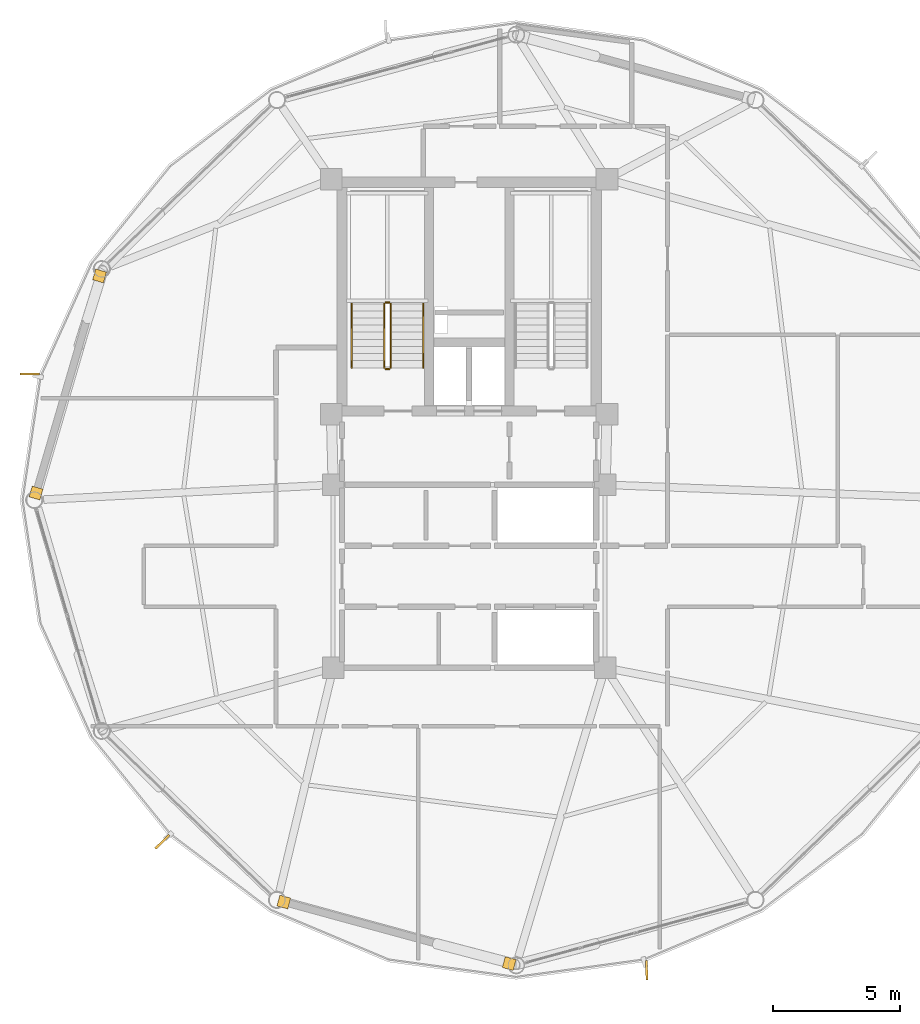
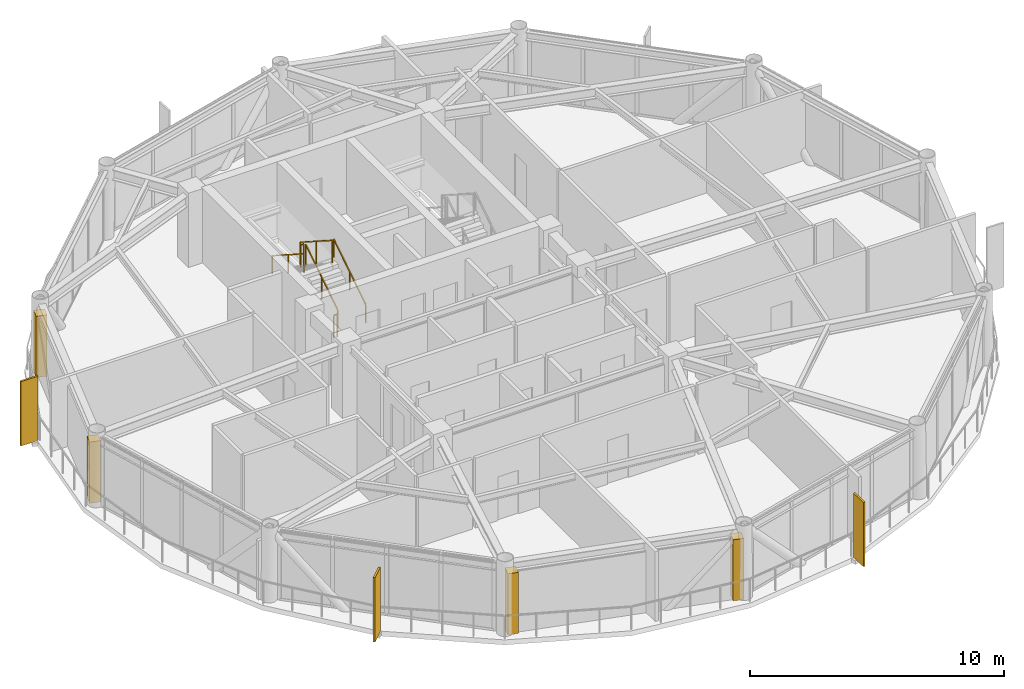
# One storey, part 24 of 26: 6 railings, 4 coverings, 3 shading devices.
"""IFC4 building model written with IfcOpenShell, lengths in metres."""

import ifcopenshell
import ifcopenshell.guid

model = None  # the IFC model being written
_history = None  # IfcOwnerHistory: only IFC2X3 demands one
_inside = {}  # id of a spatial element -> (the spatial element, [elements in it])
_under = {}  # id of a project, library or spatial element -> (it, [spatial elements below it])
_declared = {}  # id of a project -> (the project, [libraries it declares])
_typed = {}  # id of a type object -> (the type object, [elements of that type])
_made_of = {}  # id of a material, layer set ... -> (it, [elements and type objects made of it])


def new_model(schema):
    """Start an empty IFC model of exactly this schema.

    Asked for "IFC4X3", IfcOpenShell would pick the latest addendum, in which some entities
    have other attributes; the version numbers below select the first issue.
    IFC2X3 requires an IfcOwnerHistory on every rooted entity: one is made here for all.
    """
    global model, _history
    if schema == "IFC4X3":
        model = ifcopenshell.file(schema_version=(4, 3, 0, 0))
    else:
        model = ifcopenshell.file(schema=schema)
    _inside.clear()
    _under.clear()
    _declared.clear()
    _typed.clear()
    _made_of.clear()
    _history = None
    if model.schema == "IFC2X3":
        org = make("IfcOrganization", Name="unknown")
        user = make(
            "IfcPersonAndOrganization",
            ThePerson=make("IfcPerson", FamilyName="unknown"),
            TheOrganization=org,
        )
        app = make(
            "IfcApplication",
            ApplicationDeveloper=org,
            Version="unknown",
            ApplicationFullName="unknown",
            ApplicationIdentifier="unknown",
        )
        _history = make(
            "IfcOwnerHistory",
            OwningUser=user,
            OwningApplication=app,
            ChangeAction="ADDED",
            CreationDate=0,
        )
    return model


def make(cls, **values):
    """One entity of the class cls with the attributes given. An attribute that is None is left unset."""
    return model.create_entity(
        cls, **{name: value for name, value in values.items() if value is not None}
    )


def rooted(cls, **values):
    """An entity with a GlobalId (a new one), such as an element, a storey or a relation."""
    return make(cls, GlobalId=ifcopenshell.guid.new(), OwnerHistory=_history, **values)


def si_unit(unit_type, name, prefix=None):
    """IfcSIUnit, for example si_unit("LENGTHUNIT", "METRE", prefix="MILLI")."""
    return make("IfcSIUnit", UnitType=unit_type, Prefix=prefix, Name=name)


def assignment(units):
    """IfcUnitAssignment: the units of a project."""
    return None if units is None else make("IfcUnitAssignment", Units=units)


def point(xyz):
    """IfcCartesianPoint."""
    return None if xyz is None else make("IfcCartesianPoint", Coordinates=xyz)


def direction(xyz):
    """IfcDirection."""
    return None if xyz is None else make("IfcDirection", DirectionRatios=xyz)


def frame(location, z_axis=None, x_axis=None):
    """IfcAxis2Placement3D, a coordinate frame: its origin and axes. An axis left out is left unset."""
    return make(
        "IfcAxis2Placement3D",
        Location=point(location),
        Axis=direction(z_axis),
        RefDirection=direction(x_axis),
    )


def frame_2d(location, x_axis=None):
    """IfcAxis2Placement2D, a coordinate frame in the plane: its origin and x axis."""
    return make(
        "IfcAxis2Placement2D", Location=point(location), RefDirection=direction(x_axis)
    )


def origin():
    """The frame at (0, 0, 0) with its axes left unset."""
    return frame((0.0, 0.0, 0.0))


def origin_2d():
    """The frame at (0, 0) in the plane with its x axis left unset."""
    return frame_2d((0.0, 0.0))


def place(relative_to, where):
    """IfcLocalPlacement: puts the frame where relative to a parent placement (None: the world)."""
    return make(
        "IfcLocalPlacement", PlacementRelTo=relative_to, RelativePlacement=where
    )


def context(
    kind, dimensions, precision=None, world=None, true_north=None, identifier=None
):
    """IfcGeometricRepresentationContext, for example the 3D "Model" context."""
    return make(
        "IfcGeometricRepresentationContext",
        ContextIdentifier=identifier,
        ContextType=kind,
        CoordinateSpaceDimension=dimensions,
        Precision=precision,
        WorldCoordinateSystem=world,
        TrueNorth=true_north,
    )


def subcontext(parent, identifier, kind, view, scale=None):
    """IfcGeometricRepresentationSubContext, for example "Body" below "Model"."""
    return make(
        "IfcGeometricRepresentationSubContext",
        ContextIdentifier=identifier,
        ContextType=kind,
        ParentContext=parent,
        TargetScale=scale,
        TargetView=view,
    )


def project(units=None, contexts=None):
    """IfcProject with its units and contexts."""
    return rooted(
        "IfcProject",
        Name="project",
        RepresentationContexts=contexts,
        UnitsInContext=assignment(units),
    )


def spatial(cls, under=None, at=None, **own):
    """A site, building, storey or space (cls), placed at a placement, below another one or the project."""
    s = rooted(cls, ObjectPlacement=at, **own)
    if under is not None:
        _under.setdefault(under.id(), (under, []))[1].append(s)
    return s


def profile(cls, at=None, kind="AREA", **sizes):
    """A parametric profile (cls). Its sizes go by their IFC names, for example OverallWidth=200.0."""
    return make(cls, ProfileType=kind, Position=at, **sizes)


def rectangle(**sizes):
    """IfcRectangleProfileDef."""
    return profile("IfcRectangleProfileDef", **sizes)


def extrude(swept, where, along, depth):
    """IfcExtrudedAreaSolid: the profile swept, set in the frame where, extruded along a direction by depth."""
    return make(
        "IfcExtrudedAreaSolid",
        SweptArea=swept,
        Position=where,
        ExtrudedDirection=direction(along),
        Depth=depth,
    )


def shape(context_of_items, identifier, shape_type, items):
    """IfcShapeRepresentation: the items that make up one representation, for example the "Body"."""
    return make(
        "IfcShapeRepresentation",
        ContextOfItems=context_of_items,
        RepresentationIdentifier=identifier,
        RepresentationType=shape_type,
        Items=items,
    )


def source(mapping_origin, context_of_items, identifier, shape_type, items):
    """IfcRepresentationMap: a shape defined once, which mapped items show again and again."""
    return make(
        "IfcRepresentationMap",
        MappingOrigin=mapping_origin,
        MappedRepresentation=shape(context_of_items, identifier, shape_type, items),
    )


def transform(
    local_origin,
    x_axis=None,
    y_axis=None,
    z_axis=None,
    scale=None,
    scale2=None,
    scale3=None,
    uniform=True,
):
    """IfcCartesianTransformationOperator3D, or its non-uniform kind. x_axis, y_axis, z_axis: its Axis1, 2, 3."""
    if uniform:
        return make(
            "IfcCartesianTransformationOperator3D",
            Axis1=direction(x_axis),
            Axis2=direction(y_axis),
            LocalOrigin=point(local_origin),
            Scale=scale,
            Axis3=direction(z_axis),
        )
    return make(
        "IfcCartesianTransformationOperator3DnonUniform",
        Axis1=direction(x_axis),
        Axis2=direction(y_axis),
        LocalOrigin=point(local_origin),
        Scale=scale,
        Axis3=direction(z_axis),
        Scale2=scale2,
        Scale3=scale3,
    )


def mapped(mapping_source, mapping_target):
    """IfcMappedItem: shows the shape of a source again, moved by a transform."""
    return make(
        "IfcMappedItem", MappingSource=mapping_source, MappingTarget=mapping_target
    )


def material(Name=None, Category=None):
    """IfcMaterial."""
    return make("IfcMaterial", Name=Name, Category=Category)


def layer(
    of_material, thickness, ventilated=None, Name=None, Category=None, Priority=None
):
    """IfcMaterialLayer: one layer of a wall or slab, of a material (None: an air gap)."""
    return make(
        "IfcMaterialLayer",
        Material=of_material,
        LayerThickness=thickness,
        IsVentilated=ventilated,
        Name=Name,
        Category=Category,
        Priority=Priority,
    )


def layer_set(layers, Name=None):
    """IfcMaterialLayerSet."""
    return make("IfcMaterialLayerSet", MaterialLayers=layers, LayerSetName=Name)


def made_of(thing, what):
    """Note that an element or type object is made of a material, layer set ...; save() writes the relation."""
    if what is not None:
        _made_of.setdefault(what.id(), (what, []))[1].append(thing)
    return thing


def type_object(cls, material=None, **own):
    """A type object (cls), such as IfcWallType, which elements share."""
    return made_of(rooted(cls, **own), material)


def type_shapes(of_type, sources):
    """Give a type object the sources (RepresentationMaps) that its elements show as mapped items."""
    of_type.RepresentationMaps = sources


def element(
    cls,
    number,
    at=None,
    inside=None,
    cuts=None,
    type_object=None,
    material=None,
    context=None,
    identifier="Body",
    shape_type=None,
    held_by="IfcProductDefinitionShape",
    body=None,
    shapes=None,
    **own,
):
    """One element of the class cls, such as IfcWall. Its Tag is "e" and its number.

    at: its placement. inside: the storey or other place that contains it. cuts: it is an
    opening in that element (IfcRelVoidsElement). A single representation is given by context,
    identifier, shape_type and body (its items); several are given by shapes. held_by: the class
    of the entity that holds the representations. save() writes the other relations.
    """
    e = rooted(cls, Tag="e%d" % number, ObjectPlacement=at, **own)
    if body is not None:
        shapes = [shape(context, identifier, shape_type, body)]
    if shapes is not None:
        e.Representation = make(held_by, Representations=shapes)
    if inside is not None:
        _inside.setdefault(inside.id(), (inside, []))[1].append(e)
    if cuts is not None:
        rooted(
            "IfcRelVoidsElement", RelatingBuildingElement=cuts, RelatedOpeningElement=e
        )
    if type_object is not None:
        _typed.setdefault(type_object.id(), (type_object, []))[1].append(e)
    return made_of(e, material)


def aggregate(whole, parts):
    """IfcRelAggregates: a whole, such as a stair, and the parts it consists of."""
    return rooted("IfcRelAggregates", RelatingObject=whole, RelatedObjects=parts)


def save(model, path):
    """Write the relations noted so far, then the file.

    IfcRelAggregates (storeys below a building ...), IfcRelContainedInSpatialStructure (elements
    in a storey), IfcRelDefinesByType, IfcRelAssociatesMaterial and IfcRelDeclares: one each for
    every whole, place, type object, material and project.
    """
    for whole, parts in _under.values():
        aggregate(whole, parts)
    for where, things in _inside.values():
        rooted(
            "IfcRelContainedInSpatialStructure",
            RelatedElements=things,
            RelatingStructure=where,
        )
    for kind, things in _typed.values():
        rooted("IfcRelDefinesByType", RelatedObjects=things, RelatingType=kind)
    for what, things in _made_of.values():
        rooted("IfcRelAssociatesMaterial", RelatedObjects=things, RelatingMaterial=what)
    for by, libraries in _declared.values():
        rooted("IfcRelDeclares", RelatingContext=by, RelatedDefinitions=libraries)
    model.write(path)


model = new_model("IFC4")

# Units and contexts
model_context = context("Model", 3, precision=1e-05, world=origin(), true_north=direction((0.0, 1.0)))
body_context = subcontext(model_context, "Body", "Model", "MODEL_VIEW")
ifc_project = project(units=[si_unit("LENGTHUNIT", "METRE"), si_unit("AREAUNIT", "SQUARE_METRE"), si_unit("VOLUMEUNIT", "CUBIC_METRE"), si_unit("PLANEANGLEUNIT", "RADIAN"), si_unit("MASSUNIT", "GRAM", prefix="KILO")], contexts=[model_context])

# Site, building, storey
site_placement = place(None, origin())
site = spatial("IfcSite", under=ifc_project, at=site_placement, CompositionType="ELEMENT")
building_placement = place(site_placement, origin())
building = spatial("IfcBuilding", under=site, at=building_placement, Name="Varnakorn Sky Granary", CompositionType="ELEMENT")
storey_placement = place(building_placement, frame((0.0, 0.0, 222.0)))
storey = spatial("IfcBuildingStorey", under=building, at=storey_placement, Name="L56", CompositionType="ELEMENT", Elevation=222.0)

# Railings
ifc_material_1 = material(Name="Brushed Stainless Steel 316", Category="steel")
railing_type_1 = type_object("IfcRailingType", Name="RL-STAIR-1100", PredefinedType="GUARDRAIL", material=ifc_material_1)
railing_1_placement = place(storey_placement, frame((-0.090087890625, 5.199951171875, 0.179931640625)))
element("IfcRailing", 1, at=railing_1_placement, inside=storey, type_object=railing_type_1, Name="L56 ST-1 stair guard 1", PredefinedType="GUARDRAIL", context=body_context, shape_type="SweptSolid", body=[
    extrude(rectangle(XDim=0.048095703125, YDim=0.048095703125, at=origin_2d()), frame((0.0, 0.0, 1.076171875), z_axis=(0.0, 0.841162588446, 0.540782303519), x_axis=(-1.0, 0.0, 0.0)), (0.0, 0.0, 1.0), 2.995849609375),
    extrude(rectangle(XDim=0.0419921875, YDim=0.0419921875, at=origin_2d()), origin(), (0.0, 0.0, 1.0), 1.048095703125),
    extrude(rectangle(XDim=0.0419921875, YDim=0.0419921875, at=origin_2d()), frame((0.0, 1.260009765625, 0.81005859375)), (0.0, 0.0, 1.0), 1.048095703125),
    extrude(rectangle(XDim=0.0419921875, YDim=0.0419921875, at=origin_2d()), frame((0.0, 2.52001953125, 1.6201171875)), (0.0, 0.0, 1.0), 1.048095703125),
])
railing_2_placement = place(storey_placement, frame((-0.139892578125, 7.77001953125, 1.800048828125)))
element("IfcRailing", 2, at=railing_2_placement, inside=storey, type_object=railing_type_1, Name="L56 ST-1 stair guard 2", PredefinedType="GUARDRAIL", context=body_context, shape_type="SweptSolid", body=[
    extrude(rectangle(XDim=0.048095703125, YDim=0.048095703125, at=origin_2d()), frame((0.0, 0.0, 1.076171875), z_axis=(-1.0, 0.0, 0.0), x_axis=(0.0, -1.0, 0.0)), (0.0, 0.0, 1.0), 0.150146484375),
    extrude(rectangle(XDim=0.0419921875, YDim=0.0419921875, at=origin_2d()), origin(), (0.0, 0.0, 1.0), 1.048095703125),
    extrude(rectangle(XDim=0.0419921875, YDim=0.0419921875, at=origin_2d()), frame((-0.150146484375, 0.0, 0.0)), (0.0, 0.0, 1.0), 1.048095703125),
])
railing_3_placement = place(storey_placement, frame((-0.340087890625, 7.719970703125, 1.97998046875)))
element("IfcRailing", 3, at=railing_3_placement, inside=storey, type_object=railing_type_1, Name="L56 ST-1 stair guard 3", PredefinedType="GUARDRAIL", context=body_context, shape_type="SweptSolid", body=[
    extrude(rectangle(XDim=0.048095703125, YDim=0.048095703125, at=origin_2d()), frame((0.0, 0.0, 1.076171875), z_axis=(0.0, -0.841162588446, 0.540782303519), x_axis=(1.0, 0.0, 0.0)), (0.0, 0.0, 1.0), 2.995849609375),
    extrude(rectangle(XDim=0.0419921875, YDim=0.0419921875, at=origin_2d()), origin(), (0.0, 0.0, 1.0), 1.048095703125),
    extrude(rectangle(XDim=0.0419921875, YDim=0.0419921875, at=origin_2d()), frame((0.0, -1.260009765625, 0.81005859375)), (0.0, 0.0, 1.0), 1.048095703125),
    extrude(rectangle(XDim=0.0419921875, YDim=0.0419921875, at=origin_2d()), frame((0.0, -2.52001953125, 1.6201171875)), (0.0, 0.0, 1.0), 1.048095703125),
])
railing_4_placement = place(storey_placement, frame((-0.139892578125, 5.14990234375, 0.0)))
element("IfcRailing", 4, at=railing_4_placement, inside=storey, type_object=railing_type_1, Name="L56 ST-1 stair guard 4", PredefinedType="GUARDRAIL", context=body_context, shape_type="SweptSolid", body=[
    extrude(rectangle(XDim=0.048095703125, YDim=0.048095703125, at=origin_2d()), frame((0.0, 0.0, 1.076171875), z_axis=(-1.0, 0.0, 0.0), x_axis=(0.0, -1.0, 0.0)), (0.0, 0.0, 1.0), 0.150146484375),
    extrude(rectangle(XDim=0.0419921875, YDim=0.0419921875, at=origin_2d()), origin(), (0.0, 0.0, 1.0), 1.048095703125),
    extrude(rectangle(XDim=0.0419921875, YDim=0.0419921875, at=origin_2d()), frame((-0.150146484375, 0.0, 0.0)), (0.0, 0.0, 1.0), 1.048095703125),
])
railing_type_2 = type_object("IfcRailingType", Name="RL-STAIR-920", PredefinedType="HANDRAIL", material=ifc_material_1)
railing_5_placement = place(storey_placement, frame((1.18994140625, 5.199951171875, 0.179931640625)))
element("IfcRailing", 5, at=railing_5_placement, inside=storey, type_object=railing_type_2, Name="L56 ST-1 stair handrail 1", PredefinedType="HANDRAIL", context=body_context, shape_type="SweptSolid", body=[
    extrude(rectangle(XDim=0.048095703125, YDim=0.048095703125, at=origin_2d()), frame((0.0, 0.0, 0.8759765625), z_axis=(0.0, 0.841162588446, 0.540782303519), x_axis=(-1.0, 0.0, 0.0)), (0.0, 0.0, 1.0), 2.995849609375),
    extrude(rectangle(XDim=0.0419921875, YDim=0.0419921875, at=origin_2d()), origin(), (0.0, 0.0, 1.0), 0.847900390625),
    extrude(rectangle(XDim=0.0419921875, YDim=0.0419921875, at=origin_2d()), frame((0.0, 1.260009765625, 0.81005859375)), (0.0, 0.0, 1.0), 0.847900390625),
    extrude(rectangle(XDim=0.0419921875, YDim=0.0419921875, at=origin_2d()), frame((0.0, 2.52001953125, 1.6201171875)), (0.0, 0.0, 1.0), 0.847900390625),
])
railing_6_placement = place(storey_placement, frame((-1.6201171875, 7.719970703125, 1.97998046875)))
element("IfcRailing", 6, at=railing_6_placement, inside=storey, type_object=railing_type_2, Name="L56 ST-1 stair handrail 2", PredefinedType="HANDRAIL", context=body_context, shape_type="SweptSolid", body=[
    extrude(rectangle(XDim=0.048095703125, YDim=0.048095703125, at=origin_2d()), frame((0.0, 0.0, 0.8759765625), z_axis=(0.0, -0.841162588446, 0.540782303519), x_axis=(1.0, 0.0, 0.0)), (0.0, 0.0, 1.0), 2.995849609375),
    extrude(rectangle(XDim=0.0419921875, YDim=0.0419921875, at=origin_2d()), origin(), (0.0, 0.0, 1.0), 0.847900390625),
    extrude(rectangle(XDim=0.0419921875, YDim=0.0419921875, at=origin_2d()), frame((0.0, -1.260009765625, 0.81005859375)), (0.0, 0.0, 1.0), 0.847900390625),
    extrude(rectangle(XDim=0.0419921875, YDim=0.0419921875, at=origin_2d()), frame((0.0, -2.52001953125, 1.6201171875)), (0.0, 0.0, 1.0), 0.847900390625),
])

# Coverings
ifc_material_2 = material(Name="Anodised Bronze Aluminium Alloy 6063-T6", Category="aluminium")
ifc_layer = layer(ifc_material_2, 0.050048828125, Name="Anodised Bronze Aluminium Alloy 6063-T6")
ifc_layer_set = layer_set([ifc_layer], Name="Anodised Bronze Aluminium Alloy 6063-T6")
covering_type = type_object("IfcCoveringType", Name="CV-CLAD-50", PredefinedType="CLADDING", material=ifc_layer_set)
shared_shape_1 = source(origin(), body_context, "Body", "SweptSolid", [
    extrude(rectangle(XDim=0.43994140625, YDim=0.43994140625, at=origin_2d()), origin(), (0.0, 0.0, 1.0), 2.949951171875),
])
type_shapes(covering_type, [shared_shape_1])
for number, where, z_axis, x_axis, name in (
    (7, (-14.0390625, 0.2734375, -0.02001953125), (0.0, 0.0, 1.0), (0.28083422227, 0.959756291775, 0.0), "Bronze Corner Pilaster Closure L56-P06-A"),
    (8, (-11.540771484375, 8.81396484375, -0.02001953125), (0.0, 0.0, 1.0), (0.28083422227, 0.959756291775, 0.0), "Bronze Corner Pilaster Closure L56-P06-B"),
    (9, (4.5751953125, -18.235107421875, -0.02001953125), (0.0, 0.0, 1.0), (-0.964741401527, 0.263199597605, 0.0), "Bronze Corner Pilaster Closure L56-P09-A"),
    (10, (-4.2919921875, -15.81494140625, -0.02001953125), (0.0, 0.0, 1.0), (-0.964741401527, 0.263199597605, 0.0), "Bronze Corner Pilaster Closure L56-P09-B"),
):
    element("IfcCovering", number, at=place(storey_placement, frame(where, z_axis=z_axis, x_axis=x_axis)), inside=storey, type_object=covering_type, Name=name, PredefinedType="CLADDING", context=body_context, shape_type="MappedRepresentation", body=[
        mapped(shared_shape_1, transform((0.0, 0.0, 0.0), x_axis=(1.0, 0.0, 0.0), y_axis=(0.0, 1.0, 0.0), z_axis=(0.0, 0.0, 1.0), scale=1.0)),
    ])

# Shading devices
shading_device_type = type_object("IfcShadingDeviceType", Name="SH-FIN-03", PredefinedType="USERDEFINED", material=ifc_material_2)
shared_shape_2 = source(origin(), body_context, "Body", "SweptSolid", [
    extrude(rectangle(XDim=0.0849609375, YDim=0.760009765625, at=origin_2d()), origin(), (0.0, 0.0, 1.0), 3.10009765625),
])
type_shapes(shading_device_type, [shared_shape_2])
for number, where, z_axis, x_axis, name in (
    (11, (-14.289794921875, 4.953857421875, -0.0400390625), (0.0, 0.0, 1.0), (-0.009079526477, -0.99995878025, 0.0), "Bronze Solar-Tracking Vertical Blade FIN L56-06"),
    (12, (-9.07080078125, -13.443359375, -0.0400390625), (0.0, 0.0, 1.0), (0.701639226077, -0.712532382724, 0.0), "Bronze Solar-Tracking Vertical Blade FIN L56-08"),
    (13, (9.982177734375, -18.501220703125, -0.0400390625), (0.0, 0.0, 1.0), (0.999511943308, 0.031239001031, 0.0), "Bronze Solar-Tracking Vertical Blade FIN L56-10"),
):
    element("IfcShadingDevice", number, at=place(storey_placement, frame(where, z_axis=z_axis, x_axis=x_axis)), inside=storey, type_object=shading_device_type, Name=name, ObjectType="FIN", PredefinedType="USERDEFINED", context=body_context, shape_type="MappedRepresentation", body=[
        mapped(shared_shape_2, transform((0.0, 0.0, 0.0), x_axis=(1.0, 0.0, 0.0), y_axis=(0.0, 1.0, 0.0), z_axis=(0.0, 0.0, 1.0), scale=1.0)),
    ])

save(model, "model.ifc")
